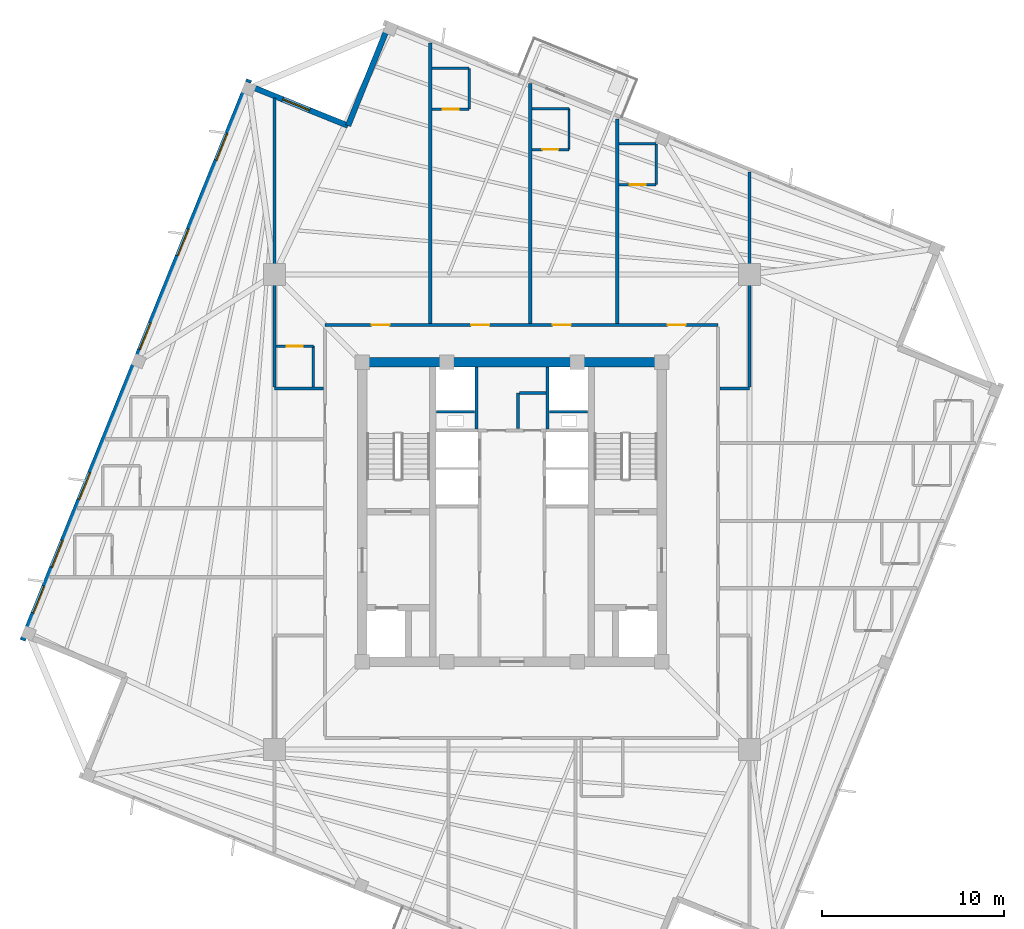
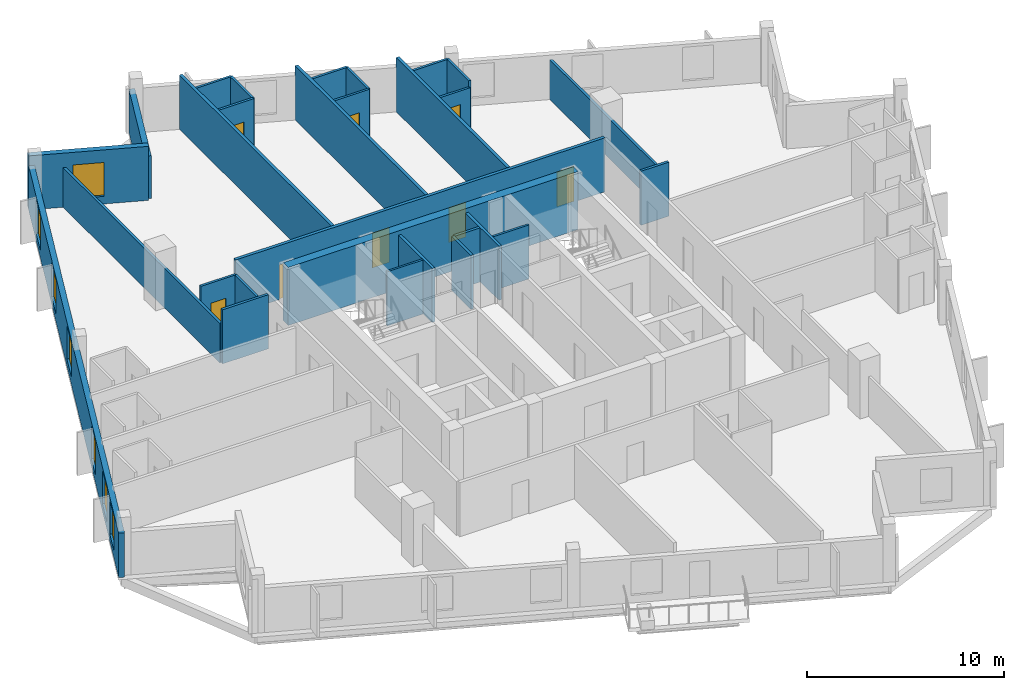
# One storey, part 5 of 9: 29 walls, 8 doors, 7 windows, 15 openings.
"""IFC4 building model written with IfcOpenShell, lengths in metres."""

from ifc_helpers import new_model, si_unit, direction, frame, frame_2d, origin, place, context, subcontext, project, spatial, rectangle, extrude, source, transform, mapped, material, layer, layer_set, type_object, element, fill, save


model = new_model("IFC4")

# Units and contexts
model_context = context("Model", 3, precision=1e-05, world=origin(), true_north=direction((0.0, 1.0)))
body_context = subcontext(model_context, "Body", "Model", "MODEL_VIEW")
ifc_project = project(units=[si_unit("LENGTHUNIT", "METRE"), si_unit("AREAUNIT", "SQUARE_METRE"), si_unit("VOLUMEUNIT", "CUBIC_METRE"), si_unit("PLANEANGLEUNIT", "RADIAN"), si_unit("MASSUNIT", "GRAM", prefix="KILO"), si_unit("THERMODYNAMICTEMPERATUREUNIT", "KELVIN")], contexts=[model_context])

# Site, building, storey
site_placement = place(None, origin())
site = spatial("IfcSite", under=ifc_project, at=site_placement, CompositionType="ELEMENT")
building_placement = place(site_placement, origin())
building = spatial("IfcBuilding", under=site, at=building_placement, Name="Kosmvard Interchange Tower", CompositionType="ELEMENT")
storey_placement = place(building_placement, frame((0.0, 0.0, 297.60009765625)))
storey = spatial("IfcBuildingStorey", under=building, at=storey_placement, Name="L73", CompositionType="ELEMENT", Elevation=297.60009765625)

# Walls
ifc_material_1 = material(Name="Acoustic gypsum partition system")
ifc_layer_1 = layer(ifc_material_1, 0.14990234375, Name="Acoustic gypsum partition system")
ifc_layer_set_1 = layer_set([ifc_layer_1], Name="Acoustic gypsum partition system")
wall_type_1 = type_object("IfcWallType", Name="Acoustic Suite & Meeting Partition 150", PredefinedType="PARTITIONING", material=ifc_layer_set_1)
wall_1_placement = place(storey_placement, frame((-10.39501953125, 6.800048828125, 0.0), z_axis=(0.0, 0.0, 1.0), x_axis=(-1.0, 0.0, 0.0)))
element("IfcWall", 1, at=wall_1_placement, inside=storey, type_object=wall_type_1, Name="L73 Room Partition 12.1", PredefinedType="PARTITIONING", context=body_context, shape_type="SweptSolid", body=[
    extrude(rectangle(XDim=2.68603515625, YDim=0.14990234375, at=frame_2d((1.343017578125, 0.0))), origin(), (0.0, 0.0, 1.0), 3.349853515625),
])
wall_2_placement = place(storey_placement, frame((-13.0810546875, 6.875, 0.0), z_axis=(0.0, 0.0, 1.0), x_axis=(0.0, 1.0, 0.0)))
element("IfcWall", 2, at=wall_2_placement, inside=storey, type_object=wall_type_1, Name="L73 Room Partition 13.1", PredefinedType="PARTITIONING", context=body_context, shape_type="SweptSolid", body=[
    extrude(rectangle(XDim=15.941650390625, YDim=0.14990234375, at=frame_2d((7.970703125, 0.0))), origin(), (0.0, 0.0, 1.0), 2.449951171875),
])
wall_3_placement = place(storey_placement, frame((11.445068359375, 6.800048828125, 0.0), z_axis=(0.0, 0.0, 1.0), x_axis=(1.0, 0.0, 0.0)))
element("IfcWall", 3, at=wall_3_placement, inside=storey, type_object=wall_type_1, Name="L73 Room Partition 14.1", PredefinedType="PARTITIONING", context=body_context, shape_type="SweptSolid", body=[
    extrude(rectangle(XDim=1.635986328125, YDim=0.14990234375, at=frame_2d((0.81787109375, 0.0))), origin(), (0.0, 0.0, 1.0), 3.349853515625),
])
wall_4_placement = place(storey_placement, frame((13.0810546875, 6.875, 0.0), z_axis=(0.0, 0.0, 1.0), x_axis=(0.0, 1.0, 0.0)))
element("IfcWall", 4, at=wall_4_placement, inside=storey, type_object=wall_type_1, Name="L73 Room Partition 15.1", PredefinedType="PARTITIONING", context=body_context, shape_type="SweptSolid", body=[
    extrude(rectangle(XDim=11.8427734375, YDim=0.14990234375, at=frame_2d((5.92138671875, 0.0))), origin(), (0.0, 0.0, 1.0), 2.449951171875),
])
ifc_material_2 = material(Name="Fire-rated gypsum partition system")
ifc_layer_2 = layer(ifc_material_2, 0.159912109375, Name="Fire-rated gypsum partition system")
ifc_layer_set_2 = layer_set([ifc_layer_2], Name="Fire-rated gypsum partition system")
wall_type_2 = type_object("IfcWallType", Name="Core Compartment & Shuttle Lobby Partition 160", PredefinedType="PARTITIONING", material=ifc_layer_set_2)
for number, where, z_axis, x_axis, name in (
    (5, (-1.9599609375, 4.580078125, 0.0), (0.0, 0.0, 1.0), (0.0, 1.0, 0.0), "L73 North Core West Wall"),
    (6, (1.9599609375, 4.580078125, 0.0), (0.0, 0.0, 1.0), (0.0, 1.0, 0.0), "L73 North Core East Wall"),
):
    element("IfcWall", number, at=place(storey_placement, frame(where, z_axis=z_axis, x_axis=x_axis)), inside=storey, type_object=wall_type_2, Name=name, PredefinedType="PARTITIONING", context=body_context, shape_type="SweptSolid", body=[
        extrude(rectangle(XDim=3.39990234375, YDim=0.159912109375, at=frame_2d((1.699951171875, 0.0))), origin(), (0.0, 0.0, 1.0), 3.349853515625),
    ])
ifc_material_3 = material(Name="Concrete blockwork masonry", Category="masonry")
ifc_layer_3 = layer(ifc_material_3, 0.159912109375, Name="Concrete blockwork masonry")
ifc_layer_set_3 = layer_set([ifc_layer_3], Name="Concrete blockwork masonry")
wall_type_3 = type_object("IfcWallType", Name="Core Enclosure Split Wall 160", PredefinedType="PARTITIONING", material=ifc_layer_set_3)
wall_5_placement = place(storey_placement, frame((0.320068359375, 4.60009765625, 0.0), z_axis=(0.0, 0.0, 1.0), x_axis=(0.0, 1.0, 0.0)))
element("IfcWall", 7, at=wall_5_placement, inside=storey, type_object=wall_type_3, Name="L73 Core K3 L-Wall 1", PredefinedType="PARTITIONING", context=body_context, shape_type="SweptSolid", body=[
    extrude(rectangle(XDim=1.949951171875, YDim=0.159912109375, at=frame_2d((0.97509765625, 0.0))), origin(), (0.0, 0.0, 1.0), 3.349853515625),
])
wall_6_placement = place(storey_placement, frame((0.39990234375, 6.550048828125, 0.0), z_axis=(0.0, 0.0, 1.0), x_axis=(1.0, 0.0, 0.0)))
element("IfcWall", 8, at=wall_6_placement, inside=storey, type_object=wall_type_3, Name="L73 Core K3 L-Wall 2", PredefinedType="PARTITIONING", context=body_context, shape_type="SweptSolid", body=[
    extrude(rectangle(XDim=1.460205078125, YDim=0.159912109375, at=frame_2d((0.72998046875, 0.0))), origin(), (0.0, 0.0, 1.0), 3.349853515625),
])

# Wall, openings, doors
ifc_layer_4 = layer(ifc_material_2, 0.179931640625, Name="Fire-rated gypsum partition system")
ifc_layer_set_4 = layer_set([ifc_layer_4], Name="Fire-rated gypsum partition system")
wall_type_4 = type_object("IfcWallType", Name="Corridor & Hotel Compartment Partition 180", PredefinedType="PARTITIONING", material=ifc_layer_set_4)
wall_7_placement = place(storey_placement, frame((-10.300048828125, 10.300048828125, 0.0), z_axis=(0.0, 0.0, 1.0), x_axis=(1.0, 0.0, 0.0)))
wall_7 = element("IfcWall", 9, at=wall_7_placement, inside=storey, type_object=wall_type_4, Name="L73 Corridor Wall CN", PredefinedType="PARTITIONING", context=body_context, shape_type="SweptSolid", body=[
    extrude(rectangle(XDim=21.650146484375, YDim=0.179931640625, at=frame_2d((10.8251953125, 0.0))), origin(), (0.0, 0.0, 1.0), 3.349853515625),
])
opening_1_placement = place(wall_7_placement, frame((2.564453125, 0.0, 0.0)))
opening_1 = element("IfcOpeningElement", 10, at=opening_1_placement, cuts=wall_7, Name="Opening L73-D06", PredefinedType="OPENING", context=body_context, shape_type="SweptSolid", body=[
    extrude(rectangle(XDim=1.0, YDim=2.14990234375, at=frame_2d((0.5, 1.074951171875))), frame((0.0, 0.10009765625, 0.0), z_axis=(0.0, -1.0, 0.0), x_axis=(1.0, 0.0, 0.0)), (0.0, 0.0, 1.0), 0.199951171875),
])
opening_2_placement = place(wall_7_placement, frame((8.050048828125, 0.0, 0.0)))
opening_2 = element("IfcOpeningElement", 11, at=opening_2_placement, cuts=wall_7, Name="Opening L73-D08", PredefinedType="OPENING", context=body_context, shape_type="SweptSolid", body=[
    extrude(rectangle(XDim=1.0, YDim=2.14990234375, at=frame_2d((0.5, 1.074951171875))), frame((0.0, 0.10009765625, 0.0), z_axis=(0.0, -1.0, 0.0), x_axis=(1.0, 0.0, 0.0)), (0.0, 0.0, 1.0), 0.199951171875),
])
opening_3_placement = place(wall_7_placement, frame((12.5400390625, 0.0, 0.0)))
opening_3 = element("IfcOpeningElement", 12, at=opening_3_placement, cuts=wall_7, Name="Opening L73-D10", PredefinedType="OPENING", context=body_context, shape_type="SweptSolid", body=[
    extrude(rectangle(XDim=1.0, YDim=2.14990234375, at=frame_2d((0.5, 1.074951171875))), frame((0.0, 0.10009765625, 0.0), z_axis=(0.0, -1.0, 0.0), x_axis=(1.0, 0.0, 0.0)), (0.0, 0.0, 1.0), 0.199951171875),
])
opening_4_placement = place(wall_7_placement, frame((18.87060546875, 0.0, 0.0)))
opening_4 = element("IfcOpeningElement", 13, at=opening_4_placement, cuts=wall_7, Name="Opening L73-D12", PredefinedType="OPENING", context=body_context, shape_type="SweptSolid", body=[
    extrude(rectangle(XDim=1.0, YDim=2.14990234375, at=frame_2d((0.5, 1.074951171875))), frame((0.0, 0.10009765625, 0.0), z_axis=(0.0, -1.0, 0.0), x_axis=(1.0, 0.0, 0.0)), (0.0, 0.0, 1.0), 0.199951171875),
])
ifc_material_4 = material(Name="Engineered oak fire-rated timber", Category="wood")
door_type_1 = type_object("IfcDoorType", Name="Hotel Guestroom Entrance Door 1000x2150 EI60", OperationType="NOTDEFINED", PredefinedType="DOOR", material=ifc_material_4)
shared_shape_1 = source(origin(), body_context, "Body", "SweptSolid", [
    extrude(rectangle(XDim=1.0, YDim=2.14990234375, at=frame_2d((0.5, 1.074951171875))), frame((0.0, 0.02490234375, 0.0), z_axis=(0.0, -1.0, 0.0), x_axis=(1.0, 0.0, 0.0)), (0.0, 0.0, 1.0), 0.050048828125),
])
door_1_placement = place(opening_1_placement, origin())
door_1 = element("IfcDoor", 14, at=door_1_placement, inside=storey, type_object=door_type_1, Name="L73 Hotel Corner Suite 1 Door", OperationType="SINGLE_SWING_RIGHT", OverallHeight=2.14990234375, OverallWidth=1.0, PredefinedType="DOOR", context=body_context, shape_type="MappedRepresentation", body=[
    mapped(shared_shape_1, transform((0.0, 0.0, 0.0), scale=1.0)),
])
fill(opening_1, door_1)
door_2_placement = place(opening_2_placement, origin())
door_2 = element("IfcDoor", 15, at=door_2_placement, inside=storey, type_object=door_type_1, Name="L73 Hotel King Junior Suite 3 Door", OperationType="SINGLE_SWING_RIGHT", OverallHeight=2.14990234375, OverallWidth=1.0, PredefinedType="DOOR", context=body_context, shape_type="MappedRepresentation", body=[
    mapped(shared_shape_1, transform((0.0, 0.0, 0.0), scale=1.0)),
])
fill(opening_2, door_2)
door_3_placement = place(opening_3_placement, origin())
door_3 = element("IfcDoor", 16, at=door_3_placement, inside=storey, type_object=door_type_1, Name="L73 Hotel Twin Guest Room 4 Door", OperationType="SINGLE_SWING_RIGHT", OverallHeight=2.14990234375, OverallWidth=1.0, PredefinedType="DOOR", context=body_context, shape_type="MappedRepresentation", body=[
    mapped(shared_shape_1, transform((0.0, 0.0, 0.0), scale=1.0)),
])
fill(opening_3, door_3)
door_4_placement = place(opening_4_placement, origin())
door_4 = element("IfcDoor", 17, at=door_4_placement, inside=storey, type_object=door_type_1, Name="L73 Hotel Queen Junior Suite 5 Door", OperationType="SINGLE_SWING_RIGHT", OverallHeight=2.14990234375, OverallWidth=1.0, PredefinedType="DOOR", context=body_context, shape_type="MappedRepresentation", body=[
    mapped(shared_shape_1, transform((0.0, 0.0, 0.0), scale=1.0)),
])
fill(opening_4, door_4)

# Walls
wall_8_placement = place(storey_placement, frame((-4.5, 10.39501953125, 0.0), z_axis=(0.0, 0.0, 1.0), x_axis=(0.0, 1.0, 0.0)))
element("IfcWall", 18, at=wall_8_placement, inside=storey, type_object=wall_type_4, Name="L73 Room Partition 01.1", PredefinedType="PARTITIONING", context=body_context, shape_type="SweptSolid", body=[
    extrude(rectangle(XDim=15.42578125, YDim=0.179931640625, at=frame_2d((7.712890625, 0.0))), origin(), (0.0, 0.0, 1.0), 3.349853515625),
])
wall_9_placement = place(storey_placement, frame((1.0, 10.39501953125, 0.0), z_axis=(0.0, 0.0, 1.0), x_axis=(0.0, 1.0, 0.0)))
element("IfcWall", 19, at=wall_9_placement, inside=storey, type_object=wall_type_4, Name="L73 Room Partition 02.1", PredefinedType="PARTITIONING", context=body_context, shape_type="SweptSolid", body=[
    extrude(rectangle(XDim=13.203857421875, YDim=0.179931640625, at=frame_2d((6.60205078125, 0.0))), origin(), (0.0, 0.0, 1.0), 3.349853515625),
])
wall_10_placement = place(storey_placement, frame((5.800048828125, 10.39501953125, 0.0), z_axis=(0.0, 0.0, 1.0), x_axis=(0.0, 1.0, 0.0)))
element("IfcWall", 20, at=wall_10_placement, inside=storey, type_object=wall_type_4, Name="L73 Room Partition 03.1", PredefinedType="PARTITIONING", context=body_context, shape_type="SweptSolid", body=[
    extrude(rectangle(XDim=11.264404296875, YDim=0.179931640625, at=frame_2d((5.63232421875, 0.0))), origin(), (0.0, 0.0, 1.0), 3.349853515625),
])
ifc_material_5 = material(Name="Fire-rated gypsum shaftwall system")
ifc_layer_5 = layer(ifc_material_5, 0.1201171875, Name="Fire-rated gypsum shaftwall system")
ifc_layer_set_5 = layer_set([ifc_layer_5], Name="Fire-rated gypsum shaftwall system")
wall_type_5 = type_object("IfcWallType", Name="Shaft & Riser Fire Partition 120 EI60", PredefinedType="PARTITIONING", material=ifc_layer_set_5)
for number, where, z_axis, x_axis, name in (
    (21, (-4.159912109375, 5.52001953125, 0.0), (0.0, 0.0, 1.0), (1.0, 0.0, 0.0), "L73 Riser Shaft Divider W"),
    (22, (2.06005859375, 5.52001953125, 0.0), (0.0, 0.0, 1.0), (1.0, 0.0, 0.0), "L73 Riser Shaft Divider E"),
):
    element("IfcWall", number, at=place(storey_placement, frame(where, z_axis=z_axis, x_axis=x_axis)), inside=storey, type_object=wall_type_5, Name=name, PredefinedType="PARTITIONING", context=body_context, shape_type="SweptSolid", body=[
        extrude(rectangle(XDim=2.099853515625, YDim=0.1201171875, at=frame_2d((1.0498046875, 0.0))), origin(), (0.0, 0.0, 1.0), 3.349853515625),
    ])
ifc_material_6 = material(Name="Concrete C60/75", Category="concrete")
ifc_layer_6 = layer(ifc_material_6, 0.5, Name="Concrete C60/75")
ifc_layer_set_6 = layer_set([ifc_layer_6], Name="Concrete C60/75")
wall_type_6 = type_object("IfcWallType", Name="Upper Core Shear Wall 500 C60/75", PredefinedType="SHEAR", material=ifc_layer_set_6)
wall_11_placement = place(storey_placement, frame((-8.5, 8.25, 0.0), z_axis=(0.0, 0.0, 1.0), x_axis=(1.0, 0.0, 0.0)))
element("IfcWall", 23, at=wall_11_placement, inside=storey, type_object=wall_type_6, Name="L73 Core Shear Wall CW-N", PredefinedType="SHEAR", context=body_context, shape_type="SweptSolid", body=[
    extrude(rectangle(XDim=17.0, YDim=0.5, at=frame_2d((8.5, 0.0))), origin(), (0.0, 0.0, 1.0), 3.599853515625),
])
ifc_material_7 = material(Name="Precast concrete C45/55", Category="concrete")
ifc_layer_7 = layer(ifc_material_7, 0.31005859375, Name="Precast concrete C45/55")
ifc_layer_set_7 = layer_set([ifc_layer_7], Name="Precast concrete C45/55")
wall_type_7 = type_object("IfcWallType", Name="Upper Tower Precast Pier Wall 310 C45/55", PredefinedType="STANDARD", material=ifc_layer_set_7)
wall_12_placement = place(storey_placement, frame((-6.7841796875, 26.8408203125, 0.0), z_axis=(0.0, 0.0, 1.0), x_axis=(-0.374636620962, -0.927171722085, 0.0)))
element("IfcWall", 24, at=wall_12_placement, inside=storey, type_object=wall_type_7, Name="L73 Precast Facade Wall N-NE1", PredefinedType="STANDARD", context=body_context, shape_type="SweptSolid", body=[
    extrude(rectangle(XDim=6.0, YDim=0.31005859375, at=frame_2d((3.0, 0.0))), origin(), (0.0, 0.0, 1.0), 2.64990234375),
])

# Wall, opening, window
wall_13_placement = place(storey_placement, frame((-9.031982421875, 21.27783203125, 0.0), z_axis=(0.0, 0.0, 1.0), x_axis=(-0.927185411764, 0.374602739196, 0.0)))
wall_13 = element("IfcWall", 25, at=wall_13_placement, inside=storey, type_object=wall_type_7, Name="L73 Precast Facade Wall N-NE2", PredefinedType="STANDARD", context=body_context, shape_type="SweptSolid", body=[
    extrude(rectangle(XDim=6.155029296875, YDim=0.31005859375, at=frame_2d((3.07763671875, 0.0))), origin(), (0.0, 0.0, 1.0), 3.349853515625),
])
opening_5_placement = place(wall_13_placement, frame((2.277587890625, 0.0, 0.469970703125)))
opening_5 = element("IfcOpeningElement", 26, at=opening_5_placement, cuts=wall_13, Name="Opening L73-W20", PredefinedType="OPENING", context=body_context, shape_type="SweptSolid", body=[
    extrude(rectangle(XDim=1.60009765625, YDim=2.10009765625, at=frame_2d((0.800048828125, 1.050048828125))), frame((0.0, 0.1650390625, 0.0), z_axis=(0.0, -1.0, 0.0), x_axis=(1.0, 0.0, 0.0)), (0.0, 0.0, 1.0), 0.330078125),
])
ifc_material_8 = material(Name="Low-E acoustic double glazing", Category="glass")
window_type = type_object("IfcWindowType", Name="Zone 5 Hotel Punched Window 1600x2100", PartitioningType="SINGLE_PANEL", PredefinedType="WINDOW", material=ifc_material_8)
shared_shape_2 = source(origin(), body_context, "Body", "SweptSolid", [
    extrude(rectangle(XDim=1.60009765625, YDim=2.10009765625, at=frame_2d((0.800048828125, 1.050048828125))), frame((0.0, 0.030029296875, 0.0), z_axis=(0.0, -1.0, 0.0), x_axis=(1.0, 0.0, 0.0)), (0.0, 0.0, 1.0), 0.06005859375),
])
window_1_placement = place(opening_5_placement, origin())
window_1 = element("IfcWindow", 27, at=window_1_placement, inside=storey, type_object=window_type, Name="L73 Corner Notch Window 20", OverallHeight=2.10009765625, OverallWidth=1.60009765625, PartitioningType="SINGLE_PANEL", PredefinedType="WINDOW", context=body_context, shape_type="MappedRepresentation", body=[
    mapped(shared_shape_2, transform((0.0, 0.0, 0.0), scale=1.0)),
])
fill(opening_5, window_1)

# Wall, openings, windows
wall_14_placement = place(storey_placement, frame((-14.478759765625, 23.812744140625, 0.0), z_axis=(0.0, 0.0, 1.0), x_axis=(-0.374609557019, -0.927182657188, 0.0)))
wall_14 = element("IfcWall", 28, at=wall_14_placement, inside=storey, type_object=wall_type_7, Name="L73 Precast Facade Wall F-N", PredefinedType="STANDARD", context=body_context, shape_type="SweptSolid", body=[
    extrude(rectangle(XDim=33.31005859375, YDim=0.31005859375, at=frame_2d((16.655029296875, 0.0))), origin(), (0.0, 0.0, 1.0), 2.75),
])
opening_6_placement = place(wall_14_placement, frame((3.197265625, 0.0, 0.469970703125)))
opening_6 = element("IfcOpeningElement", 29, at=opening_6_placement, cuts=wall_14, Name="Opening L73-W09", PredefinedType="OPENING", context=body_context, shape_type="SweptSolid", body=[
    extrude(rectangle(XDim=1.60009765625, YDim=2.10009765625, at=frame_2d((0.800048828125, 1.050048828125))), frame((0.0, 0.1650390625, 0.0), z_axis=(0.0, -1.0, 0.0), x_axis=(1.0, 0.0, 0.0)), (0.0, 0.0, 1.0), 0.330078125),
])
opening_7_placement = place(wall_14_placement, frame((8.85986328125, 0.0, 0.469970703125)))
opening_7 = element("IfcOpeningElement", 30, at=opening_7_placement, cuts=wall_14, Name="Opening L73-W10", PredefinedType="OPENING", context=body_context, shape_type="SweptSolid", body=[
    extrude(rectangle(XDim=1.60009765625, YDim=2.10009765625, at=frame_2d((0.800048828125, 1.050048828125))), frame((0.0, 0.1650390625, 0.0), z_axis=(0.0, -1.0, 0.0), x_axis=(1.0, 0.0, 0.0)), (0.0, 0.0, 1.0), 0.330078125),
])
opening_8_placement = place(wall_14_placement, frame((14.438720703125, 0.0, 0.469970703125)))
opening_8 = element("IfcOpeningElement", 31, at=opening_8_placement, cuts=wall_14, Name="Opening L73-W11", PredefinedType="OPENING", context=body_context, shape_type="SweptSolid", body=[
    extrude(rectangle(XDim=1.60009765625, YDim=2.10009765625, at=frame_2d((0.800048828125, 1.050048828125))), frame((0.0, 0.1650390625, 0.0), z_axis=(0.0, -1.0, 0.0), x_axis=(1.0, 0.0, 0.0)), (0.0, 0.0, 1.0), 0.330078125),
])
opening_9_placement = place(wall_14_placement, frame((23.350830078125, 0.0, 0.469970703125)))
opening_9 = element("IfcOpeningElement", 32, at=opening_9_placement, cuts=wall_14, Name="Opening L73-W12", PredefinedType="OPENING", context=body_context, shape_type="SweptSolid", body=[
    extrude(rectangle(XDim=1.60009765625, YDim=2.10009765625, at=frame_2d((0.800048828125, 1.050048828125))), frame((0.0, 0.1650390625, 0.0), z_axis=(0.0, -1.0, 0.0), x_axis=(1.0, 0.0, 0.0)), (0.0, 0.0, 1.0), 0.330078125),
])
opening_10_placement = place(wall_14_placement, frame((30.0966796875, 0.0, 0.469970703125)))
opening_10 = element("IfcOpeningElement", 33, at=opening_10_placement, cuts=wall_14, Name="Opening L73-W13", PredefinedType="OPENING", context=body_context, shape_type="SweptSolid", body=[
    extrude(rectangle(XDim=1.60009765625, YDim=2.10009765625, at=frame_2d((0.800048828125, 1.050048828125))), frame((0.0, 0.1650390625, 0.0), z_axis=(0.0, -1.0, 0.0), x_axis=(1.0, 0.0, 0.0)), (0.0, 0.0, 1.0), 0.330078125),
])
opening_11_placement = place(wall_14_placement, frame((27.374267578125, 0.0, 0.469970703125)))
opening_11 = element("IfcOpeningElement", 34, at=opening_11_placement, cuts=wall_14, Name="Opening L73-DW25", PredefinedType="OPENING", context=body_context, shape_type="SweptSolid", body=[
    extrude(rectangle(XDim=1.60009765625, YDim=2.10009765625, at=frame_2d((0.800048828125, 1.050048828125))), frame((0.0, 0.1650390625, 0.0), z_axis=(0.0, -1.0, 0.0), x_axis=(1.0, 0.0, 0.0)), (0.0, 0.0, 1.0), 0.330078125),
])
window_2_placement = place(opening_6_placement, origin())
window_2 = element("IfcWindow", 35, at=window_2_placement, inside=storey, type_object=window_type, Name="L73 Facade Punched Window 09", OverallHeight=2.10009765625, OverallWidth=1.60009765625, PartitioningType="SINGLE_PANEL", PredefinedType="WINDOW", context=body_context, shape_type="MappedRepresentation", body=[
    mapped(shared_shape_2, transform((0.0, 0.0, 0.0), scale=1.0)),
])
fill(opening_6, window_2)
window_3_placement = place(opening_7_placement, origin())
window_3 = element("IfcWindow", 36, at=window_3_placement, inside=storey, type_object=window_type, Name="L73 Facade Punched Window 10", OverallHeight=2.10009765625, OverallWidth=1.60009765625, PartitioningType="SINGLE_PANEL", PredefinedType="WINDOW", context=body_context, shape_type="MappedRepresentation", body=[
    mapped(shared_shape_2, transform((0.0, 0.0, 0.0), scale=1.0)),
])
fill(opening_7, window_3)
window_4_placement = place(opening_8_placement, origin())
window_4 = element("IfcWindow", 37, at=window_4_placement, inside=storey, type_object=window_type, Name="L73 Facade Punched Window 11", OverallHeight=2.10009765625, OverallWidth=1.60009765625, PartitioningType="SINGLE_PANEL", PredefinedType="WINDOW", context=body_context, shape_type="MappedRepresentation", body=[
    mapped(shared_shape_2, transform((0.0, 0.0, 0.0), scale=1.0)),
])
fill(opening_8, window_4)
window_5_placement = place(opening_9_placement, origin())
window_5 = element("IfcWindow", 38, at=window_5_placement, inside=storey, type_object=window_type, Name="L73 Facade Punched Window 12", OverallHeight=2.10009765625, OverallWidth=1.60009765625, PartitioningType="SINGLE_PANEL", PredefinedType="WINDOW", context=body_context, shape_type="MappedRepresentation", body=[
    mapped(shared_shape_2, transform((0.0, 0.0, 0.0), scale=1.0)),
])
fill(opening_9, window_5)
window_6_placement = place(opening_10_placement, origin())
window_6 = element("IfcWindow", 39, at=window_6_placement, inside=storey, type_object=window_type, Name="L73 Facade Punched Window 13", OverallHeight=2.10009765625, OverallWidth=1.60009765625, PartitioningType="SINGLE_PANEL", PredefinedType="WINDOW", context=body_context, shape_type="MappedRepresentation", body=[
    mapped(shared_shape_2, transform((0.0, 0.0, 0.0), scale=1.0)),
])
fill(opening_10, window_6)
window_7_placement = place(opening_11_placement, origin())
window_7 = element("IfcWindow", 40, at=window_7_placement, inside=storey, type_object=window_type, Name="L73 Guest Room Punched Window 25", OverallHeight=2.10009765625, OverallWidth=1.60009765625, PartitioningType="SINGLE_PANEL", PredefinedType="WINDOW", context=body_context, shape_type="MappedRepresentation", body=[
    mapped(shared_shape_2, transform((0.0, 0.0, 0.0), scale=1.0)),
])
fill(opening_11, window_7)

# Wall
ifc_material_9 = material(Name="Moisture-resistant gypsum partition")
ifc_layer_8 = layer(ifc_material_9, 0.135009765625, Name="Moisture-resistant gypsum partition")
ifc_layer_set_8 = layer_set([ifc_layer_8], Name="Moisture-resistant gypsum partition")
wall_type_8 = type_object("IfcWallType", Name="Wet Room Moisture-Resistant Partition 135", PredefinedType="PARTITIONING", material=ifc_layer_set_8)
wall_15_placement = place(storey_placement, frame((-10.94091796875, 6.889892578125, 0.0), z_axis=(0.0, 0.0, 1.0), x_axis=(0.0, 1.0, 0.0)))
element("IfcWall", 41, at=wall_15_placement, inside=storey, type_object=wall_type_8, Name="L73 En-Suite Partition HCS1-E", PredefinedType="PARTITIONING", context=body_context, shape_type="SweptSolid", body=[
    extrude(rectangle(XDim=2.25, YDim=0.135009765625, at=frame_2d((1.125, 0.0))), origin(), (0.0, 0.0, 1.0), 3.349853515625),
])

# Wall, opening, door
wall_16_placement = place(storey_placement, frame((-12.990966796875, 9.139892578125, 0.0), z_axis=(0.0, 0.0, 1.0), x_axis=(1.0, 0.0, 0.0)))
wall_16 = element("IfcWall", 42, at=wall_16_placement, inside=storey, type_object=wall_type_8, Name="L73 En-Suite Partition HCS1-N", PredefinedType="PARTITIONING", context=body_context, shape_type="SweptSolid", body=[
    extrude(rectangle(XDim=2.050048828125, YDim=0.135009765625, at=frame_2d((1.02490234375, 0.0))), origin(), (0.0, 0.0, 1.0), 3.349853515625),
])
opening_12_placement = place(wall_16_placement, frame((0.5849609375, 0.0, 0.0)))
opening_12 = element("IfcOpeningElement", 43, at=opening_12_placement, cuts=wall_16, Name="Opening L73-ED07", PredefinedType="OPENING", context=body_context, shape_type="SweptSolid", body=[
    extrude(rectangle(XDim=0.8798828125, YDim=2.10009765625, at=frame_2d((0.43994140625, 1.050048828125))), frame((0.0, 0.07763671875, 0.0), z_axis=(0.0, -1.0, 0.0), x_axis=(1.0, 0.0, 0.0)), (0.0, 0.0, 1.0), 0.155029296875),
])
ifc_material_10 = material(Name="Laminated moisture-resistant timber", Category="wood")
door_type_2 = type_object("IfcDoorType", Name="En-Suite & Washroom Door 880x2100", OperationType="NOTDEFINED", PredefinedType="DOOR", material=ifc_material_10)
shared_shape_3 = source(origin(), body_context, "Body", "SweptSolid", [
    extrude(rectangle(XDim=0.8798828125, YDim=2.10009765625, at=frame_2d((0.43994140625, 1.050048828125))), frame((0.0, 0.02490234375, 0.0), z_axis=(0.0, -1.0, 0.0), x_axis=(1.0, 0.0, 0.0)), (0.0, 0.0, 1.0), 0.050048828125),
])
door_5_placement = place(opening_12_placement, frame((0.8798828125, 0.0, 0.0), z_axis=(0.0, 0.0, 1.0), x_axis=(-1.0, 0.0, 0.0)))
door_5 = element("IfcDoor", 44, at=door_5_placement, inside=storey, type_object=door_type_2, Name="L73 HCS1 En-Suite Door", OperationType="SINGLE_SWING_RIGHT", OverallHeight=2.10009765625, OverallWidth=0.8798828125, PredefinedType="DOOR", context=body_context, shape_type="MappedRepresentation", body=[
    mapped(shared_shape_3, transform((0.0, 0.0, 0.0), scale=1.0)),
])
fill(opening_12, door_5)

wall_17_placement = place(storey_placement, frame((-4.409912109375, 22.1875, 0.0), z_axis=(0.0, 0.0, 1.0), x_axis=(1.0, 0.0, 0.0)))
wall_17 = element("IfcWall", 45, at=wall_17_placement, inside=storey, type_object=wall_type_8, Name="L73 En-Suite Partition HGR3-S", PredefinedType="PARTITIONING", context=body_context, shape_type="SweptSolid", body=[
    extrude(rectangle(XDim=2.0498046875, YDim=0.135009765625, at=frame_2d((1.02490234375, 0.0))), origin(), (0.0, 0.0, 1.0), 3.349853515625),
])
opening_13_placement = place(wall_17_placement, frame((0.5849609375, 0.0, 0.0)))
opening_13 = element("IfcOpeningElement", 46, at=opening_13_placement, cuts=wall_17, Name="Opening L73-ED09", PredefinedType="OPENING", context=body_context, shape_type="SweptSolid", body=[
    extrude(rectangle(XDim=0.8798828125, YDim=2.10009765625, at=frame_2d((0.43994140625, 1.050048828125))), frame((0.0, 0.07763671875, 0.0), z_axis=(0.0, -1.0, 0.0), x_axis=(1.0, 0.0, 0.0)), (0.0, 0.0, 1.0), 0.155029296875),
])
door_6_placement = place(opening_13_placement, origin())
door_6 = element("IfcDoor", 47, at=door_6_placement, inside=storey, type_object=door_type_2, Name="L73 HGR3 En-Suite Door", OperationType="SINGLE_SWING_RIGHT", OverallHeight=2.10009765625, OverallWidth=0.8798828125, PredefinedType="DOOR", context=body_context, shape_type="MappedRepresentation", body=[
    mapped(shared_shape_3, transform((0.0, 0.0, 0.0), scale=1.0)),
])
fill(opening_13, door_6)

# Walls
wall_18_placement = place(storey_placement, frame((-2.360107421875, 22.1875, 0.0), z_axis=(0.0, 0.0, 1.0), x_axis=(0.0, 1.0, 0.0)))
element("IfcWall", 48, at=wall_18_placement, inside=storey, type_object=wall_type_8, Name="L73 En-Suite Partition HGR3-E", PredefinedType="PARTITIONING", context=body_context, shape_type="SweptSolid", body=[
    extrude(rectangle(XDim=2.25, YDim=0.135009765625, at=frame_2d((1.125, 0.0))), origin(), (0.0, 0.0, 1.0), 3.349853515625),
])
wall_19_placement = place(storey_placement, frame((-4.409912109375, 24.4375, 0.0), z_axis=(0.0, 0.0, 1.0), x_axis=(1.0, 0.0, 0.0)))
element("IfcWall", 49, at=wall_19_placement, inside=storey, type_object=wall_type_8, Name="L73 En-Suite Partition HGR3-N", PredefinedType="PARTITIONING", context=body_context, shape_type="SweptSolid", body=[
    extrude(rectangle(XDim=2.0498046875, YDim=0.135009765625, at=frame_2d((1.02490234375, 0.0))), origin(), (0.0, 0.0, 1.0), 3.349853515625),
])

# Wall, opening, door
wall_20_placement = place(storey_placement, frame((1.090087890625, 19.96533203125, 0.0), z_axis=(0.0, 0.0, 1.0), x_axis=(1.0, 0.0, 0.0)))
wall_20 = element("IfcWall", 50, at=wall_20_placement, inside=storey, type_object=wall_type_8, Name="L73 En-Suite Partition HGR4-S", PredefinedType="PARTITIONING", context=body_context, shape_type="SweptSolid", body=[
    extrude(rectangle(XDim=2.0498046875, YDim=0.135009765625, at=frame_2d((1.02490234375, 0.0))), origin(), (0.0, 0.0, 1.0), 3.349853515625),
])
opening_14_placement = place(wall_20_placement, frame((0.5849609375, 0.0, 0.0)))
opening_14 = element("IfcOpeningElement", 51, at=opening_14_placement, cuts=wall_20, Name="Opening L73-ED11", PredefinedType="OPENING", context=body_context, shape_type="SweptSolid", body=[
    extrude(rectangle(XDim=0.8798828125, YDim=2.10009765625, at=frame_2d((0.43994140625, 1.050048828125))), frame((0.0, 0.07763671875, 0.0), z_axis=(0.0, -1.0, 0.0), x_axis=(1.0, 0.0, 0.0)), (0.0, 0.0, 1.0), 0.155029296875),
])
door_7_placement = place(opening_14_placement, origin())
door_7 = element("IfcDoor", 52, at=door_7_placement, inside=storey, type_object=door_type_2, Name="L73 HGR4 En-Suite Door", OperationType="SINGLE_SWING_RIGHT", OverallHeight=2.10009765625, OverallWidth=0.8798828125, PredefinedType="DOOR", context=body_context, shape_type="MappedRepresentation", body=[
    mapped(shared_shape_3, transform((0.0, 0.0, 0.0), scale=1.0)),
])
fill(opening_14, door_7)

# Walls
wall_21_placement = place(storey_placement, frame((3.139892578125, 19.96533203125, 0.0), z_axis=(0.0, 0.0, 1.0), x_axis=(0.0, 1.0, 0.0)))
element("IfcWall", 53, at=wall_21_placement, inside=storey, type_object=wall_type_8, Name="L73 En-Suite Partition HGR4-E", PredefinedType="PARTITIONING", context=body_context, shape_type="SweptSolid", body=[
    extrude(rectangle(XDim=2.25, YDim=0.135009765625, at=frame_2d((1.125, 0.0))), origin(), (0.0, 0.0, 1.0), 3.349853515625),
])
wall_22_placement = place(storey_placement, frame((1.090087890625, 22.21533203125, 0.0), z_axis=(0.0, 0.0, 1.0), x_axis=(1.0, 0.0, 0.0)))
element("IfcWall", 54, at=wall_22_placement, inside=storey, type_object=wall_type_8, Name="L73 En-Suite Partition HGR4-N", PredefinedType="PARTITIONING", context=body_context, shape_type="SweptSolid", body=[
    extrude(rectangle(XDim=2.0498046875, YDim=0.135009765625, at=frame_2d((1.02490234375, 0.0))), origin(), (0.0, 0.0, 1.0), 3.349853515625),
])

# Wall, opening, door
wall_23_placement = place(storey_placement, frame((5.889892578125, 18.026123046875, 0.0), z_axis=(0.0, 0.0, 1.0), x_axis=(1.0, 0.0, 0.0)))
wall_23 = element("IfcWall", 55, at=wall_23_placement, inside=storey, type_object=wall_type_8, Name="L73 En-Suite Partition HGR5-S", PredefinedType="PARTITIONING", context=body_context, shape_type="SweptSolid", body=[
    extrude(rectangle(XDim=2.050048828125, YDim=0.135009765625, at=frame_2d((1.02490234375, 0.0))), origin(), (0.0, 0.0, 1.0), 2.949951171875),
])
opening_15_placement = place(wall_23_placement, frame((0.5849609375, 0.0, 0.0)))
opening_15 = element("IfcOpeningElement", 56, at=opening_15_placement, cuts=wall_23, Name="Opening L73-ED13", PredefinedType="OPENING", context=body_context, shape_type="SweptSolid", body=[
    extrude(rectangle(XDim=0.8798828125, YDim=2.10009765625, at=frame_2d((0.43994140625, 1.050048828125))), frame((0.0, 0.07763671875, 0.0), z_axis=(0.0, -1.0, 0.0), x_axis=(1.0, 0.0, 0.0)), (0.0, 0.0, 1.0), 0.155029296875),
])
door_8_placement = place(opening_15_placement, origin())
door_8 = element("IfcDoor", 57, at=door_8_placement, inside=storey, type_object=door_type_2, Name="L73 HGR5 En-Suite Door", OperationType="SINGLE_SWING_RIGHT", OverallHeight=2.10009765625, OverallWidth=0.8798828125, PredefinedType="DOOR", context=body_context, shape_type="MappedRepresentation", body=[
    mapped(shared_shape_3, transform((0.0, 0.0, 0.0), scale=1.0)),
])
fill(opening_15, door_8)

# Walls
wall_24_placement = place(storey_placement, frame((7.93994140625, 18.026123046875, 0.0), z_axis=(0.0, 0.0, 1.0), x_axis=(0.0, 1.0, 0.0)))
element("IfcWall", 58, at=wall_24_placement, inside=storey, type_object=wall_type_8, Name="L73 En-Suite Partition HGR5-E", PredefinedType="PARTITIONING", context=body_context, shape_type="SweptSolid", body=[
    extrude(rectangle(XDim=2.25, YDim=0.135009765625, at=frame_2d((1.125, 0.0))), origin(), (0.0, 0.0, 1.0), 3.349853515625),
])
wall_25_placement = place(storey_placement, frame((5.889892578125, 20.276123046875, 0.0), z_axis=(0.0, 0.0, 1.0), x_axis=(1.0, 0.0, 0.0)))
element("IfcWall", 59, at=wall_25_placement, inside=storey, type_object=wall_type_8, Name="L73 En-Suite Partition HGR5-N", PredefinedType="PARTITIONING", context=body_context, shape_type="SweptSolid", body=[
    extrude(rectangle(XDim=2.050048828125, YDim=0.135009765625, at=frame_2d((1.02490234375, 0.0))), origin(), (0.0, 0.0, 1.0), 3.349853515625),
])

save(model, "model.ifc")
